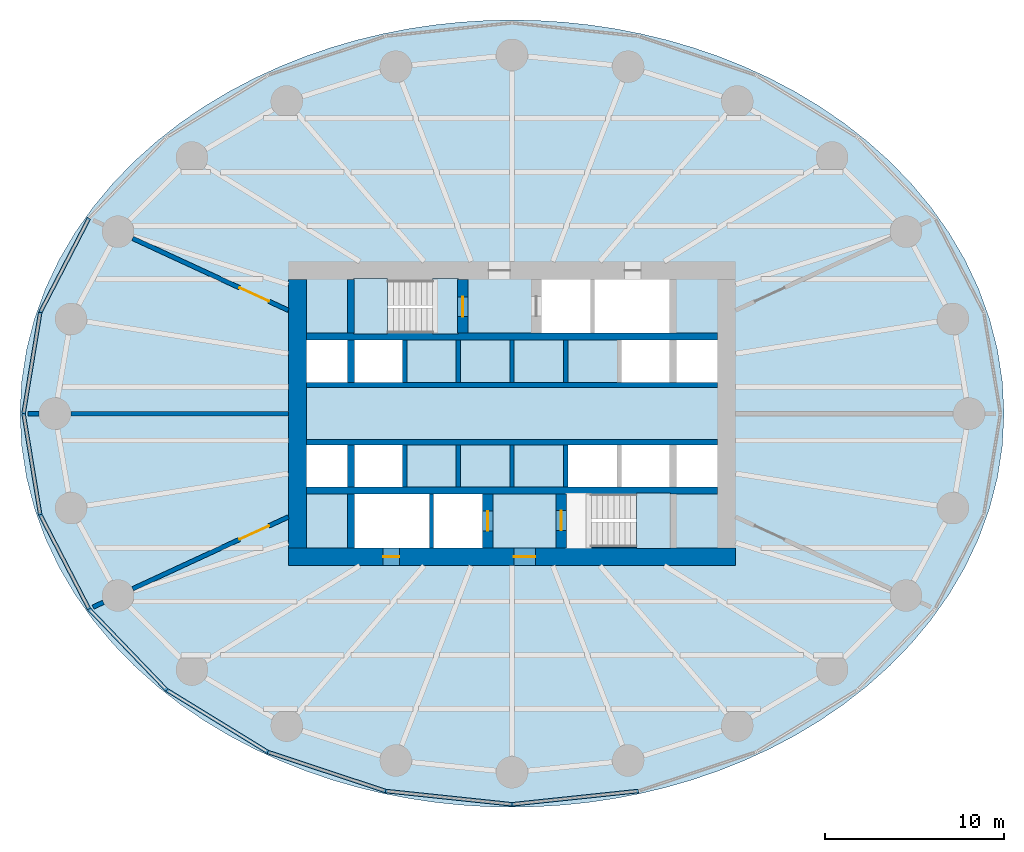
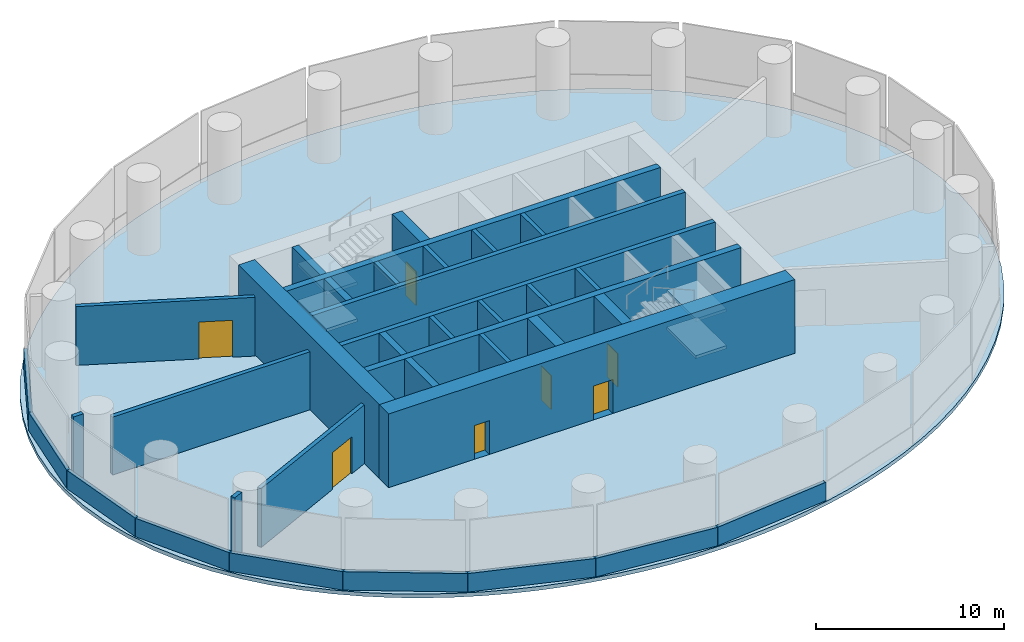
# One storey, part 3 of 5: 36 walls, 7 doors, 6 slabs, 7 openings, 2 elements without a shape of their own.
"""IFC4 building model written with IfcOpenShell, lengths in metres."""

from ifc_helpers import new_model, si_unit, direction, frame, frame_2d, origin, place, context, subcontext, project, spatial, polyline, rectangle, outline, extrude, material, layer, layer_set, type_object, element, fill, aggregate, save


model = new_model("IFC4")

# Units and contexts
model_context = context("Model", 3, precision=1e-05, world=origin(), true_north=direction((0.0, 1.0)))
body_context = subcontext(model_context, "Body", "Model", "MODEL_VIEW")
ifc_project = project(units=[si_unit("LENGTHUNIT", "METRE"), si_unit("AREAUNIT", "SQUARE_METRE"), si_unit("VOLUMEUNIT", "CUBIC_METRE"), si_unit("PLANEANGLEUNIT", "RADIAN"), si_unit("MASSUNIT", "GRAM", prefix="KILO")], contexts=[model_context])

# Site, building, storey
site_placement = place(None, origin())
site = spatial("IfcSite", under=ifc_project, at=site_placement, CompositionType="ELEMENT")
building_placement = place(site_placement, origin())
building = spatial("IfcBuilding", under=site, at=building_placement, Name="Hankou Lantern Tower", CompositionType="ELEMENT")
storey_placement = place(building_placement, frame((0.0, 0.0, 45.89990234375)))
storey = spatial("IfcBuildingStorey", under=building, at=storey_placement, Name="L10", CompositionType="ELEMENT", Elevation=45.89990234375)

# Slab
ifc_material_1 = material(Name="Concrete C50", Category="concrete")
ifc_layer_1 = layer(ifc_material_1, 0.25)
ifc_layer_set_1 = layer_set([ifc_layer_1], Name="Concrete C50")
slab_type_1 = type_object("IfcSlabType", Name="S2 HEAVY FLOOR SLAB 250", PredefinedType="FLOOR", material=ifc_layer_set_1)
slab_1_placement = place(storey_placement, frame((0.0, 0.0, -0.25)))
element("IfcSlab", 1, at=slab_1_placement, inside=storey, type_object=slab_type_1, Name="Floor slab L10", PredefinedType="FLOOR", context=body_context, shape_type="SweptSolid", body=[
    extrude(outline(polyline([(27.5, 0.0), (27.408203125, 1.79638671875), (27.135009765625, 3.572509765625), (26.6875, 5.308349609375), (26.076171875, 6.987060546875), (25.3154296875, 8.593505859375), (24.420654296875, 10.115478515625), (23.40966796875, 11.54443359375), (22.29931640625, 12.87451171875), (21.1064453125, 14.102783203125), (19.846435546875, 15.228759765625), (18.533447265625, 16.25341796875), (17.17919921875, 17.17919921875), (15.794189453125, 18.009765625), (14.38671875, 18.749267578125), (12.964111328125, 19.402099609375), (11.53125, 19.972412109375), (10.09228515625, 20.46484375), (8.650146484375, 20.88330078125), (7.20703125, 21.23095703125), (5.763916015625, 21.51123046875), (4.32177734375, 21.7265625), (2.88037109375, 21.87890625), (1.43994140625, 21.9697265625), (0.0, 22.0), (-1.43994140625, 21.9697265625), (-2.88037109375, 21.87890625), (-4.32177734375, 21.7265625), (-5.763916015625, 21.51123046875), (-7.20703125, 21.23095703125), (-8.650146484375, 20.88330078125), (-10.09228515625, 20.46484375), (-11.53125, 19.972412109375), (-12.964111328125, 19.402099609375), (-14.38671875, 18.749267578125), (-15.794189453125, 18.009765625), (-17.17919921875, 17.17919921875), (-18.533447265625, 16.25341796875), (-19.846435546875, 15.228759765625), (-21.1064453125, 14.102783203125), (-22.29931640625, 12.87451171875), (-23.40966796875, 11.54443359375), (-24.420654296875, 10.115478515625), (-25.3154296875, 8.593505859375), (-26.076171875, 6.987060546875), (-26.6875, 5.308349609375), (-27.135009765625, 3.572509765625), (-27.408203125, 1.79638671875), (-27.5, 0.0), (-27.408203125, -1.79638671875), (-27.135009765625, -3.572509765625), (-26.6875, -5.308349609375), (-26.076171875, -6.987060546875), (-25.3154296875, -8.593505859375), (-24.420654296875, -10.115478515625), (-23.40966796875, -11.54443359375), (-22.29931640625, -12.87451171875), (-21.1064453125, -14.102783203125), (-19.846435546875, -15.228759765625), (-18.533447265625, -16.25341796875), (-17.17919921875, -17.17919921875), (-15.794189453125, -18.009765625), (-14.38671875, -18.749267578125), (-12.964111328125, -19.402099609375), (-11.53125, -19.972412109375), (-10.09228515625, -20.46484375), (-8.650146484375, -20.88330078125), (-7.20703125, -21.23095703125), (-5.763916015625, -21.51123046875), (-4.32177734375, -21.7265625), (-2.88037109375, -21.87890625), (-1.43994140625, -21.9697265625), (0.0, -22.0), (1.43994140625, -21.9697265625), (2.88037109375, -21.87890625), (4.32177734375, -21.7265625), (5.763916015625, -21.51123046875), (7.20703125, -21.23095703125), (8.650146484375, -20.88330078125), (10.09228515625, -20.46484375), (11.53125, -19.972412109375), (12.964111328125, -19.402099609375), (14.38671875, -18.749267578125), (15.794189453125, -18.009765625), (17.17919921875, -17.17919921875), (18.533447265625, -16.25341796875), (19.846435546875, -15.228759765625), (21.1064453125, -14.102783203125), (22.29931640625, -12.87451171875), (23.40966796875, -11.54443359375), (24.420654296875, -10.115478515625), (25.3154296875, -8.593505859375), (26.076171875, -6.987060546875), (26.6875, -5.308349609375), (27.135009765625, -3.572509765625), (27.408203125, -1.79638671875), (27.5, 0.0)]), holes=[polyline([(-11.5, 4.10009765625), (-9.199951171875, 4.10009765625), (-9.199951171875, 1.75), (-11.5, 1.75), (-11.5, 4.10009765625)]), polyline([(-8.800048828125, 4.10009765625), (-6.125, 4.10009765625), (-6.125, 1.75), (-8.800048828125, 1.75), (-8.800048828125, 4.10009765625)]), polyline([(6.125, 4.10009765625), (8.800048828125, 4.10009765625), (8.800048828125, 1.75), (6.125, 1.75), (6.125, 4.10009765625)]), polyline([(9.199951171875, 4.10009765625), (11.5, 4.10009765625), (11.5, 1.75), (9.199951171875, 1.75), (9.199951171875, 4.10009765625)]), polyline([(-11.5, -1.75), (-9.199951171875, -1.75), (-9.199951171875, -4.10009765625), (-11.5, -4.10009765625), (-11.5, -1.75)]), polyline([(-8.800048828125, -1.75), (-6.125, -1.75), (-6.125, -4.10009765625), (-8.800048828125, -4.10009765625), (-8.800048828125, -1.75)]), polyline([(3.125, -1.75), (5.875, -1.75), (5.875, -4.10009765625), (3.125, -4.10009765625), (3.125, -1.75)]), polyline([(6.125, -1.75), (8.800048828125, -1.75), (8.800048828125, -4.10009765625), (6.125, -4.10009765625), (6.125, -1.75)]), polyline([(9.199951171875, -1.75), (11.5, -1.75), (11.5, -4.10009765625), (9.199951171875, -4.10009765625), (9.199951171875, -1.75)]), polyline([(1.64990234375, 7.5), (4.375, 7.5), (4.375, 4.5), (1.64990234375, 4.5), (1.64990234375, 7.5)]), polyline([(-4.375, -4.5), (-1.64990234375, -4.5), (-1.64990234375, -7.5), (-4.375, -7.5), (-4.375, -4.5)]), polyline([(-8.699951171875, 7.449951171875), (-4.449951171875, 7.449951171875), (-4.449951171875, 4.5), (-8.699951171875, 4.5), (-8.699951171875, 7.449951171875)]), polyline([(4.449951171875, -4.5), (8.699951171875, -4.5), (8.699951171875, -7.449951171875), (4.449951171875, -7.449951171875), (4.449951171875, -4.5)]), polyline([(4.625, 7.5), (8.800048828125, 7.5), (8.800048828125, 4.5), (4.625, 4.5), (4.625, 7.5)]), polyline([(-8.800048828125, -4.5), (-4.625, -4.5), (-4.625, -7.5), (-8.800048828125, -7.5), (-8.800048828125, -4.5)])]), origin(), (0.0, 0.0, 1.0), 0.25),
])

# Stair, slabs
ifc_material_2 = material(Name="Concrete C40", Category="concrete")
stair_type = type_object("IfcStairType", Name="ST48 CORE STAIR 4800 RISE", PredefinedType="HALF_TURN_STAIR", material=ifc_material_2)
stair_1_placement = place(storey_placement, origin())
stair_1 = element("IfcStair", 2, at=stair_1_placement, inside=storey, type_object=stair_type, Name="Stair STA L10", PredefinedType="HALF_TURN_STAIR")
ifc_material_3 = material(Name="Concrete C40", Category="concrete")
ifc_layer_2 = layer(ifc_material_3, 0.199951171875)
ifc_layer_set_2 = layer_set([ifc_layer_2], Name="Concrete C40")
slab_type_2 = type_object("IfcSlabType", Name="SL1 STAIR LANDING 200", PredefinedType="LANDING", material=ifc_layer_set_2)
slab_2_placement = place(storey_placement, frame((0.0, 0.0, 1.0)))
slab_2 = element("IfcSlab", 3, at=slab_2_placement, type_object=slab_type_2, Name="STA landing 1", PredefinedType="LANDING", context=body_context, shape_type="SweptSolid", body=[
    extrude(outline(polyline([(-8.85009765625, 4.449951171875), (-6.949951171875, 4.449951171875), (-6.949951171875, 7.550048828125), (-8.85009765625, 7.550048828125), (-8.85009765625, 4.449951171875)])), origin(), (0.0, 0.0, 1.0), 0.2001953125),
])
slab_3_placement = place(storey_placement, frame((0.0, 0.0, 2.2001953125)))
slab_3 = element("IfcSlab", 4, at=slab_3_placement, type_object=slab_type_2, Name="STA landing 2", PredefinedType="LANDING", context=body_context, shape_type="SweptSolid", body=[
    extrude(outline(polyline([(-4.449951171875, 4.449951171875), (-3.0, 4.449951171875), (-3.0, 7.550048828125), (-4.449951171875, 7.550048828125), (-4.449951171875, 4.449951171875)])), origin(), (0.0, 0.0, 1.0), 0.199951171875),
])
slab_4_placement = place(storey_placement, frame((0.0, 0.0, 3.400146484375)))
slab_4 = element("IfcSlab", 5, at=slab_4_placement, type_object=slab_type_2, Name="STA landing 3", PredefinedType="LANDING", context=body_context, shape_type="SweptSolid", body=[
    extrude(outline(polyline([(-8.85009765625, 4.449951171875), (-6.949951171875, 4.449951171875), (-6.949951171875, 7.550048828125), (-8.85009765625, 7.550048828125), (-8.85009765625, 4.449951171875)])), origin(), (0.0, 0.0, 1.0), 0.199951171875),
])
aggregate(stair_1, [slab_2, slab_3, slab_4])

stair_2_placement = place(storey_placement, origin())
stair_2 = element("IfcStair", 6, at=stair_2_placement, inside=storey, type_object=stair_type, Name="Stair STB L10", PredefinedType="HALF_TURN_STAIR")
slab_5_placement = place(storey_placement, frame((0.0, 0.0, 1.0)))
slab_5 = element("IfcSlab", 7, at=slab_5_placement, type_object=slab_type_2, Name="STB landing 1", PredefinedType="LANDING", context=body_context, shape_type="SweptSolid", body=[
    extrude(outline(polyline([(8.85009765625, -4.449951171875), (6.949951171875, -4.449951171875), (6.949951171875, -7.550048828125), (8.85009765625, -7.550048828125), (8.85009765625, -4.449951171875)])), origin(), (0.0, 0.0, 1.0), 0.2001953125),
])
slab_6_placement = place(storey_placement, frame((0.0, 0.0, 3.400146484375)))
slab_6 = element("IfcSlab", 8, at=slab_6_placement, type_object=slab_type_2, Name="STB landing 3", PredefinedType="LANDING", context=body_context, shape_type="SweptSolid", body=[
    extrude(outline(polyline([(8.85009765625, -4.449951171875), (6.949951171875, -4.449951171875), (6.949951171875, -7.550048828125), (8.85009765625, -7.550048828125), (8.85009765625, -4.449951171875)])), origin(), (0.0, 0.0, 1.0), 0.199951171875),
])
aggregate(stair_2, [slab_5, slab_6])

# Wall, openings, doors
ifc_material_4 = material(Name="Concrete C60", Category="concrete")
ifc_layer_3 = layer(ifc_material_4, 1.0)
ifc_layer_set_3 = layer_set([ifc_layer_3], Name="Concrete C60")
wall_type_1 = type_object("IfcWallType", Name="CW1 CORE WALL 1000", PredefinedType="SHEAR", material=ifc_layer_set_3)
wall_1_placement = place(storey_placement, frame((12.5, -8.0, 0.0), z_axis=(0.0, 0.0, 1.0), x_axis=(-1.0, 0.0, 0.0)))
wall_1 = element("IfcWall", 9, at=wall_1_placement, inside=storey, type_object=wall_type_1, Name="Core wall south L10", PredefinedType="SHEAR", context=body_context, shape_type="SweptSolid", body=[
    extrude(rectangle(XDim=25.0, YDim=1.0, at=frame_2d((12.5, 0.0))), origin(), (0.0, 0.0, 1.0), 4.800048828125),
])
opening_1_placement = place(wall_1_placement, frame((11.199951171875, 0.0, 0.0)))
opening_1 = element("IfcOpeningElement", 10, at=opening_1_placement, cuts=wall_1, Name="Opening D5", PredefinedType="OPENING", context=body_context, shape_type="SweptSolid", body=[
    extrude(rectangle(XDim=1.199951171875, YDim=2.199951171875, at=frame_2d((0.60009765625, 1.10009765625))), frame((0.0, 0.510009765625, 0.0), z_axis=(0.0, -1.0, 0.0), x_axis=(1.0, 0.0, 0.0)), (0.0, 0.0, 1.0), 1.02001953125),
])
opening_2_placement = place(wall_1_placement, frame((18.800048828125, 0.0, 0.0)))
opening_2 = element("IfcOpeningElement", 11, at=opening_2_placement, cuts=wall_1, Name="Opening D7", PredefinedType="OPENING", context=body_context, shape_type="SweptSolid", body=[
    extrude(rectangle(XDim=0.89990234375, YDim=2.199951171875, at=frame_2d((0.449951171875, 1.10009765625))), frame((0.0, 0.510009765625, 0.0), z_axis=(0.0, -1.0, 0.0), x_axis=(1.0, 0.0, 0.0)), (0.0, 0.0, 1.0), 1.02001953125),
])
ifc_material_5 = material(Name="Steel door leaf", Category="steel")
door_type_1 = type_object("IfcDoorType", Name="D5 STAIR LOBBY DOOR 1200X2200", OperationType="SINGLE_SWING_LEFT", PredefinedType="DOOR", material=ifc_material_5)
door_1_placement = place(opening_1_placement, origin())
door_1 = element("IfcDoor", 12, at=door_1_placement, inside=storey, type_object=door_type_1, Name="Stair B lobby door", OperationType="SINGLE_SWING_LEFT", OverallHeight=2.199951171875, OverallWidth=1.199951171875, PredefinedType="DOOR", context=body_context, shape_type="SweptSolid", body=[
    extrude(rectangle(XDim=1.199951171875, YDim=2.199951171875, at=frame_2d((0.60009765625, 1.10009765625))), frame((0.0, 0.02490234375, 0.0), z_axis=(0.0, -1.0, 0.0), x_axis=(1.0, 0.0, 0.0)), (0.0, 0.0, 1.0), 0.050048828125),
])
fill(opening_1, door_1)
ifc_material_6 = material(Name="Steel door leaf", Category="steel")
door_type_2 = type_object("IfcDoorType", Name="D7 RISER DOOR 900X2200", OperationType="SINGLE_SWING_LEFT", PredefinedType="DOOR", material=ifc_material_6)
door_2_placement = place(opening_2_placement, origin())
door_2 = element("IfcDoor", 13, at=door_2_placement, inside=storey, type_object=door_type_2, Name="Riser S1 door", OperationType="SINGLE_SWING_RIGHT", OverallHeight=2.199951171875, OverallWidth=0.89990234375, PredefinedType="DOOR", context=body_context, shape_type="SweptSolid", body=[
    extrude(rectangle(XDim=0.89990234375, YDim=2.199951171875, at=frame_2d((0.449951171875, 1.10009765625))), frame((0.0, 0.02490234375, 0.0), z_axis=(0.0, -1.0, 0.0), x_axis=(1.0, 0.0, 0.0)), (0.0, 0.0, 1.0), 0.050048828125),
])
fill(opening_2, door_2)

# Walls
wall_2_placement = place(storey_placement, frame((-12.0, 7.5, 0.0), z_axis=(0.0, 0.0, 1.0), x_axis=(0.0, -1.0, 0.0)))
element("IfcWall", 14, at=wall_2_placement, inside=storey, type_object=wall_type_1, Name="Core wall west L10", PredefinedType="SHEAR", context=body_context, shape_type="SweptSolid", body=[
    extrude(rectangle(XDim=15.0, YDim=1.0, at=frame_2d((7.5, 0.0))), origin(), (0.0, 0.0, 1.0), 4.800048828125),
])
ifc_material_7 = material(Name="Concrete C60", Category="concrete")
ifc_layer_4 = layer(ifc_material_7, 0.39990234375)
ifc_layer_set_4 = layer_set([ifc_layer_4], Name="Concrete C60")
wall_type_2 = type_object("IfcWallType", Name="CW4 CORE CROSS WALL 400", PredefinedType="SHEAR", material=ifc_layer_set_4)
for number, where, z_axis, x_axis, name in (
    (15, (-11.5, 4.300048828125, 0.0), (0.0, 0.0, 1.0), (1.0, 0.0, 0.0), "Core band wall north L10"),
    (16, (-11.5, -4.300048828125, 0.0), (0.0, 0.0, 1.0), (1.0, 0.0, 0.0), "Core band wall south L10"),
):
    element("IfcWall", number, at=place(storey_placement, frame(where, z_axis=z_axis, x_axis=x_axis)), inside=storey, type_object=wall_type_2, Name=name, PredefinedType="SHEAR", context=body_context, shape_type="SweptSolid", body=[
        extrude(rectangle(XDim=23.0, YDim=0.39990234375, at=frame_2d((11.5, 0.0))), origin(), (0.0, 0.0, 1.0), 4.800048828125),
    ])
wall_3_placement = place(storey_placement, frame((-9.0, 4.5, 0.0), z_axis=(0.0, 0.0, 1.0), x_axis=(0.0, 1.0, 0.0)))
element("IfcWall", 17, at=wall_3_placement, inside=storey, type_object=wall_type_2, Name="Core strip wall L10", PredefinedType="SHEAR", context=body_context, shape_type="SweptSolid", body=[
    extrude(rectangle(XDim=3.0, YDim=0.39990234375, at=frame_2d((1.5, 0.0))), origin(), (0.0, 0.0, 1.0), 4.800048828125),
])
for number, where, z_axis, x_axis, name in (
    (18, (-9.0, 1.75, 0.0), (0.0, 0.0, 1.0), (0.0, 1.0, 0.0), "Core strip wall L10"),
    (19, (-9.0, -4.10009765625, 0.0), (0.0, 0.0, 1.0), (0.0, 1.0, 0.0), "Core strip wall L10"),
):
    element("IfcWall", number, at=place(storey_placement, frame(where, z_axis=z_axis, x_axis=x_axis)), inside=storey, type_object=wall_type_2, Name=name, PredefinedType="SHEAR", context=body_context, shape_type="SweptSolid", body=[
        extrude(rectangle(XDim=2.35009765625, YDim=0.39990234375, at=frame_2d((1.175048828125, 0.0))), origin(), (0.0, 0.0, 1.0), 4.800048828125),
    ])
wall_4_placement = place(storey_placement, frame((-9.0, -7.5, 0.0), z_axis=(0.0, 0.0, 1.0), x_axis=(0.0, 1.0, 0.0)))
element("IfcWall", 20, at=wall_4_placement, inside=storey, type_object=wall_type_2, Name="Core strip wall L10", PredefinedType="SHEAR", context=body_context, shape_type="SweptSolid", body=[
    extrude(rectangle(XDim=3.0, YDim=0.39990234375, at=frame_2d((1.5, 0.0))), origin(), (0.0, 0.0, 1.0), 4.800048828125),
])
ifc_material_8 = material(Name="Concrete C60", Category="concrete")
ifc_layer_5 = layer(ifc_material_8, 0.300048828125)
ifc_layer_set_5 = layer_set([ifc_layer_5], Name="Concrete C60")
wall_type_3 = type_object("IfcWallType", Name="CW5 LIFT LOBBY WALL 300", PredefinedType="SHEAR", material=ifc_layer_set_5)
for number, where, z_axis, x_axis, name in (
    (21, (-11.5, 1.60009765625, 0.0), (0.0, 0.0, 1.0), (1.0, 0.0, 0.0), "Lift lobby wall north L10"),
    (22, (-11.5, -1.60009765625, 0.0), (0.0, 0.0, 1.0), (1.0, 0.0, 0.0), "Lift lobby wall south L10"),
):
    element("IfcWall", number, at=place(storey_placement, frame(where, z_axis=z_axis, x_axis=x_axis)), inside=storey, type_object=wall_type_3, Name=name, PredefinedType="SHEAR", context=body_context, shape_type="SweptSolid", body=[
        extrude(rectangle(XDim=23.0, YDim=0.300048828125, at=frame_2d((11.5, 0.0))), origin(), (0.0, 0.0, 1.0), 4.800048828125),
    ])

# Wall, opening, door
ifc_material_9 = material(Name="Concrete C60", Category="concrete")
ifc_layer_6 = layer(ifc_material_9, 0.60009765625)
ifc_layer_set_6 = layer_set([ifc_layer_6], Name="Concrete C60")
wall_type_4 = type_object("IfcWallType", Name="CW6 STAIR AND SHAFT WALL 600", PredefinedType="SHEAR", material=ifc_layer_set_6)
wall_5_placement = place(storey_placement, frame((-2.75, 4.5, 0.0), z_axis=(0.0, 0.0, 1.0), x_axis=(0.0, 1.0, 0.0)))
wall_5 = element("IfcWall", 23, at=wall_5_placement, inside=storey, type_object=wall_type_4, Name="Stair wall L10", PredefinedType="SHEAR", context=body_context, shape_type="SweptSolid", body=[
    extrude(rectangle(XDim=3.0, YDim=0.60009765625, at=frame_2d((1.5, 0.0))), origin(), (0.0, 0.0, 1.0), 4.800048828125),
])
opening_3_placement = place(wall_5_placement, frame((0.925048828125, 0.0, 0.0)))
opening_3 = element("IfcOpeningElement", 24, at=opening_3_placement, cuts=wall_5, Name="Opening D4", PredefinedType="OPENING", context=body_context, shape_type="SweptSolid", body=[
    extrude(rectangle(XDim=1.10009765625, YDim=2.199951171875, at=frame_2d((0.550048828125, 1.10009765625))), frame((0.0, 0.31005859375, 0.0), z_axis=(0.0, -1.0, 0.0), x_axis=(1.0, 0.0, 0.0)), (0.0, 0.0, 1.0), 0.6201171875),
])
ifc_material_10 = material(Name="Steel door leaf", Category="steel")
door_type_3 = type_object("IfcDoorType", Name="D4 STAIR DOOR 1100X2200", OperationType="SINGLE_SWING_LEFT", PredefinedType="DOOR", material=ifc_material_10)
door_3_placement = place(opening_3_placement, origin())
door_3 = element("IfcDoor", 25, at=door_3_placement, inside=storey, type_object=door_type_3, Name="Stair A door", OperationType="SINGLE_SWING_LEFT", OverallHeight=2.199951171875, OverallWidth=1.10009765625, PredefinedType="DOOR", context=body_context, shape_type="SweptSolid", body=[
    extrude(rectangle(XDim=1.10009765625, YDim=2.199951171875, at=frame_2d((0.550048828125, 1.10009765625))), frame((0.0, 0.02490234375, 0.0), z_axis=(0.0, -1.0, 0.0), x_axis=(1.0, 0.0, 0.0)), (0.0, 0.0, 1.0), 0.050048828125),
])
fill(opening_3, door_3)

wall_6_placement = place(storey_placement, frame((2.75, -7.5, 0.0), z_axis=(0.0, 0.0, 1.0), x_axis=(0.0, 1.0, 0.0)))
wall_6 = element("IfcWall", 26, at=wall_6_placement, inside=storey, type_object=wall_type_4, Name="Stair wall L10", PredefinedType="SHEAR", context=body_context, shape_type="SweptSolid", body=[
    extrude(rectangle(XDim=3.0, YDim=0.60009765625, at=frame_2d((1.5, 0.0))), origin(), (0.0, 0.0, 1.0), 4.800048828125),
])
opening_4_placement = place(wall_6_placement, frame((0.97509765625, 0.0, 0.0)))
opening_4 = element("IfcOpeningElement", 27, at=opening_4_placement, cuts=wall_6, Name="Opening D4", PredefinedType="OPENING", context=body_context, shape_type="SweptSolid", body=[
    extrude(rectangle(XDim=1.10009765625, YDim=2.199951171875, at=frame_2d((0.550048828125, 1.10009765625))), frame((0.0, 0.31005859375, 0.0), z_axis=(0.0, -1.0, 0.0), x_axis=(1.0, 0.0, 0.0)), (0.0, 0.0, 1.0), 0.6201171875),
])
door_4_placement = place(opening_4_placement, origin())
door_4 = element("IfcDoor", 28, at=door_4_placement, inside=storey, type_object=door_type_3, Name="Stair B door", OperationType="SINGLE_SWING_RIGHT", OverallHeight=2.199951171875, OverallWidth=1.10009765625, PredefinedType="DOOR", context=body_context, shape_type="SweptSolid", body=[
    extrude(rectangle(XDim=1.10009765625, YDim=2.199951171875, at=frame_2d((0.550048828125, 1.10009765625))), frame((0.0, 0.02490234375, 0.0), z_axis=(0.0, -1.0, 0.0), x_axis=(1.0, 0.0, 0.0)), (0.0, 0.0, 1.0), 0.050048828125),
])
fill(opening_4, door_4)

wall_7_placement = place(storey_placement, frame((-1.35009765625, -7.5, 0.0), z_axis=(0.0, 0.0, 1.0), x_axis=(0.0, 1.0, 0.0)))
wall_7 = element("IfcWall", 29, at=wall_7_placement, inside=storey, type_object=wall_type_4, Name="Firefighting lift shaft wall L10", PredefinedType="SHEAR", context=body_context, shape_type="SweptSolid", body=[
    extrude(rectangle(XDim=3.0, YDim=0.60009765625, at=frame_2d((1.5, 0.0))), origin(), (0.0, 0.0, 1.0), 4.800048828125),
])
opening_5_placement = place(wall_7_placement, frame((0.949951171875, 0.0, 0.0)))
opening_5 = element("IfcOpeningElement", 30, at=opening_5_placement, cuts=wall_7, Name="Opening LD2", PredefinedType="OPENING", context=body_context, shape_type="SweptSolid", body=[
    extrude(rectangle(XDim=1.10009765625, YDim=2.199951171875, at=frame_2d((0.550048828125, 1.10009765625))), frame((0.0, 0.31005859375, 0.0), z_axis=(0.0, -1.0, 0.0), x_axis=(1.0, 0.0, 0.0)), (0.0, 0.0, 1.0), 0.6201171875),
])
ifc_material_11 = material(Name="Steel door leaf", Category="steel")
door_type_4 = type_object("IfcDoorType", Name="LD2 FIREFIGHTING LIFT LANDING DOOR 1100X2200", OperationType="DOUBLE_DOOR_SLIDING", PredefinedType="DOOR", material=ifc_material_11)
door_5_placement = place(opening_5_placement, origin())
door_5 = element("IfcDoor", 31, at=door_5_placement, inside=storey, type_object=door_type_4, Name="Firefighting lift FL2 landing door", OperationType="DOUBLE_DOOR_SLIDING", OverallHeight=2.199951171875, OverallWidth=1.10009765625, PredefinedType="DOOR", context=body_context, shape_type="SweptSolid", body=[
    extrude(rectangle(XDim=1.10009765625, YDim=2.199951171875, at=frame_2d((0.550048828125, 1.10009765625))), frame((0.0, 0.02490234375, 0.0), z_axis=(0.0, -1.0, 0.0), x_axis=(1.0, 0.0, 0.0)), (0.0, 0.0, 1.0), 0.050048828125),
])
fill(opening_5, door_5)

# Walls
ifc_material_12 = material(Name="Precast concrete C40 spandrel", Category="concrete")
ifc_layer_7 = layer(ifc_material_12, 0.199951171875)
ifc_layer_set_7 = layer_set([ifc_layer_7], Name="Precast concrete C40 spandrel")
wall_type_5 = type_object("IfcWallType", Name="EW3 SPANDREL WALL 200", PredefinedType="PARAPET", material=ifc_layer_set_7)
wall_8_placement = place(storey_placement, frame((-23.642578125, 10.919921875, 0.0), z_axis=(0.0, 0.0, 1.0), x_axis=(-0.459796869206, -0.88802412077, 0.0)))
element("IfcWall", 32, at=wall_8_placement, inside=storey, type_object=wall_type_5, Name="Spandrel wall R11 L10", PredefinedType="PARAPET", context=body_context, shape_type="SweptSolid", body=[
    extrude(rectangle(XDim=5.931640625, YDim=0.199951171875, at=frame_2d((2.9658203125, 0.0))), origin(), (0.0, 0.0, 1.0), 1.2001953125),
])
for number, where, z_axis, x_axis, name in (
    (33, (-26.369873046875, 5.652587890625, 0.0), (0.0, 0.0, 1.0), (-0.162373720697, -0.9867293321, 0.0), "Spandrel wall R12 L10"),
    (34, (-27.300048828125, 0.0, 0.0), (0.0, 0.0, 1.0), (0.162373720697, -0.9867293321, 0.0), "Spandrel wall R13 L10"),
):
    element("IfcWall", number, at=place(storey_placement, frame(where, z_axis=z_axis, x_axis=x_axis)), inside=storey, type_object=wall_type_5, Name=name, PredefinedType="PARAPET", context=body_context, shape_type="SweptSolid", body=[
        extrude(rectangle(XDim=5.728515625, YDim=0.199951171875, at=frame_2d((2.8642578125, 0.0))), origin(), (0.0, 0.0, 1.0), 1.2001953125),
    ])
wall_9_placement = place(storey_placement, frame((-26.369873046875, -5.652587890625, 0.0), z_axis=(0.0, 0.0, 1.0), x_axis=(0.459796869206, -0.88802412077, 0.0)))
element("IfcWall", 35, at=wall_9_placement, inside=storey, type_object=wall_type_5, Name="Spandrel wall R14 L10", PredefinedType="PARAPET", context=body_context, shape_type="SweptSolid", body=[
    extrude(rectangle(XDim=5.931640625, YDim=0.199951171875, at=frame_2d((2.9658203125, 0.0))), origin(), (0.0, 0.0, 1.0), 1.2001953125),
])
wall_10_placement = place(storey_placement, frame((-23.642578125, -10.919921875, 0.0), z_axis=(0.0, 0.0, 1.0), x_axis=(0.692229324032, -0.721677603193, 0.0)))
element("IfcWall", 36, at=wall_10_placement, inside=storey, type_object=wall_type_5, Name="Spandrel wall R15 L10", PredefinedType="PARAPET", context=body_context, shape_type="SweptSolid", body=[
    extrude(rectangle(XDim=6.267578125, YDim=0.199951171875, at=frame_2d((3.1337890625, 0.0))), origin(), (0.0, 0.0, 1.0), 1.2001953125),
])
wall_11_placement = place(storey_placement, frame((-19.303955078125, -15.443115234375, 0.0), z_axis=(0.0, 0.0, 1.0), x_axis=(0.852227644775, -0.523171139763, 0.0)))
element("IfcWall", 37, at=wall_11_placement, inside=storey, type_object=wall_type_5, Name="Spandrel wall R16 L10", PredefinedType="PARAPET", context=body_context, shape_type="SweptSolid", body=[
    extrude(rectangle(XDim=6.634521484375, YDim=0.199951171875, at=frame_2d((3.3173828125, 0.0))), origin(), (0.0, 0.0, 1.0), 1.2001953125),
])
wall_12_placement = place(storey_placement, frame((-13.64990234375, -18.9140625, 0.0), z_axis=(0.0, 0.0, 1.0), x_axis=(0.94924845877, -0.314527206332, 0.0)))
element("IfcWall", 38, at=wall_12_placement, inside=storey, type_object=wall_type_5, Name="Spandrel wall R17 L10", PredefinedType="PARAPET", context=body_context, shape_type="SweptSolid", body=[
    extrude(rectangle(XDim=6.936279296875, YDim=0.199951171875, at=frame_2d((3.46826171875, 0.0))), origin(), (0.0, 0.0, 1.0), 1.2001953125),
])
for number, where, z_axis, x_axis, name in (
    (39, (-7.065673828125, -21.095703125, 0.0), (0.0, 0.0, 1.0), (0.99449622286, -0.104772433002, 0.0), "Spandrel wall R18 L10"),
    (40, (0.0, -21.840087890625, 0.0), (0.0, 0.0, 1.0), (0.99449622286, 0.104772433002, 0.0), "Spandrel wall R19 L10"),
):
    element("IfcWall", number, at=place(storey_placement, frame(where, z_axis=z_axis, x_axis=x_axis)), inside=storey, type_object=wall_type_5, Name=name, PredefinedType="PARAPET", context=body_context, shape_type="SweptSolid", body=[
        extrude(rectangle(XDim=7.104736328125, YDim=0.199951171875, at=frame_2d((3.55224609375, 0.0))), origin(), (0.0, 0.0, 1.0), 1.2001953125),
    ])

# Wall, opening, door
ifc_material_13 = material(Name="Masonry dense concrete block", Category="masonry")
ifc_layer_8 = layer(ifc_material_13, 0.25)
ifc_layer_set_8 = layer_set([ifc_layer_8], Name="Masonry dense concrete block")
wall_type_6 = type_object("IfcWallType", Name="IW5 PLANT ROOM FIRE WALL 250", PredefinedType="PARTITIONING", material=ifc_layer_set_8)
wall_13_placement = place(storey_placement, frame((-12.5, 5.7734375, 0.0), z_axis=(0.0, 0.0, 1.0), x_axis=(-0.907843804287, 0.419308510548, 0.0)))
wall_13 = element("IfcWall", 41, at=wall_13_placement, inside=storey, type_object=wall_type_6, Name="Plant room fire wall R11", PredefinedType="PARTITIONING", context=body_context, shape_type="SweptSolid", body=[
    extrude(rectangle(XDim=9.58544921875, YDim=0.25, at=frame_2d((4.792724609375, 0.0))), origin(), (0.0, 0.0, 1.0), 3.820068359375),
])
opening_6_placement = place(wall_13_placement, frame((1.199951171875, 0.0, 0.0)))
opening_6 = element("IfcOpeningElement", 42, at=opening_6_placement, cuts=wall_13, Name="Opening D9", PredefinedType="OPENING", context=body_context, shape_type="SweptSolid", body=[
    extrude(rectangle(XDim=1.800048828125, YDim=2.39990234375, at=frame_2d((0.89990234375, 1.199951171875))), frame((0.0, 0.135009765625, 0.0), z_axis=(0.0, -1.0, 0.0), x_axis=(1.0, 0.0, 0.0)), (0.0, 0.0, 1.0), 0.27001953125),
])
ifc_material_14 = material(Name="Steel door leaf", Category="steel")
door_type_5 = type_object("IfcDoorType", Name="D9 PLANT ROOM DOOR 1800X2400", OperationType="DOUBLE_DOOR_DOUBLE_SWING", PredefinedType="DOOR", material=ifc_material_14)
door_6_placement = place(opening_6_placement, origin())
door_6 = element("IfcDoor", 43, at=door_6_placement, inside=storey, type_object=door_type_5, Name="Plant room door R11", OperationType="DOUBLE_DOOR_DOUBLE_SWING", OverallHeight=2.39990234375, OverallWidth=1.800048828125, PredefinedType="DOOR", context=body_context, shape_type="SweptSolid", body=[
    extrude(rectangle(XDim=1.800048828125, YDim=2.39990234375, at=frame_2d((0.89990234375, 1.199951171875))), frame((0.0, 0.02490234375, 0.0), z_axis=(0.0, -1.0, 0.0), x_axis=(1.0, 0.0, 0.0)), (0.0, 0.0, 1.0), 0.050048828125),
])
fill(opening_6, door_6)

wall_14_placement = place(storey_placement, frame((-12.5, -5.7734375, 0.0), z_axis=(0.0, 0.0, 1.0), x_axis=(-0.907843804287, -0.419308510548, 0.0)))
wall_14 = element("IfcWall", 44, at=wall_14_placement, inside=storey, type_object=wall_type_6, Name="Plant room fire wall R15", PredefinedType="PARTITIONING", context=body_context, shape_type="SweptSolid", body=[
    extrude(rectangle(XDim=9.58544921875, YDim=0.25, at=frame_2d((4.792724609375, 0.0))), origin(), (0.0, 0.0, 1.0), 3.820068359375),
])
opening_7_placement = place(wall_14_placement, frame((1.199951171875, 0.0, 0.0)))
opening_7 = element("IfcOpeningElement", 45, at=opening_7_placement, cuts=wall_14, Name="Opening D9", PredefinedType="OPENING", context=body_context, shape_type="SweptSolid", body=[
    extrude(rectangle(XDim=1.800048828125, YDim=2.39990234375, at=frame_2d((0.89990234375, 1.199951171875))), frame((0.0, 0.135009765625, 0.0), z_axis=(0.0, -1.0, 0.0), x_axis=(1.0, 0.0, 0.0)), (0.0, 0.0, 1.0), 0.27001953125),
])
door_7_placement = place(opening_7_placement, origin())
door_7 = element("IfcDoor", 46, at=door_7_placement, inside=storey, type_object=door_type_5, Name="Plant room door R15", OperationType="DOUBLE_DOOR_DOUBLE_SWING", OverallHeight=2.39990234375, OverallWidth=1.800048828125, PredefinedType="DOOR", context=body_context, shape_type="SweptSolid", body=[
    extrude(rectangle(XDim=1.800048828125, YDim=2.39990234375, at=frame_2d((0.89990234375, 1.199951171875))), frame((0.0, 0.02490234375, 0.0), z_axis=(0.0, -1.0, 0.0), x_axis=(1.0, 0.0, 0.0)), (0.0, 0.0, 1.0), 0.050048828125),
])
fill(opening_7, door_7)

# Walls
wall_15_placement = place(storey_placement, frame((-22.836181640625, -10.547607421875, 0.0), z_axis=(0.0, 0.0, 1.0), x_axis=(-0.907847379299, -0.419300770211, 0.0)))
element("IfcWall", 47, at=wall_15_placement, inside=storey, type_object=wall_type_6, Name="Plant room fire wall R15", PredefinedType="PARTITIONING", context=body_context, shape_type="SweptSolid", body=[
    extrude(rectangle(XDim=0.63818359375, YDim=0.25, at=frame_2d((0.319091796875, 0.0))), origin(), (0.0, 0.0, 1.0), 4.6201171875),
])
wall_16_placement = place(storey_placement, frame((-12.5, 0.0, 0.0), z_axis=(0.0, 0.0, 1.0), x_axis=(-1.0, 0.0, 0.0)))
element("IfcWall", 48, at=wall_16_placement, inside=storey, type_object=wall_type_6, Name="Plant room partition R13", PredefinedType="PARTITIONING", context=body_context, shape_type="SweptSolid", body=[
    extrude(rectangle(XDim=12.14990234375, YDim=0.25, at=frame_2d((6.074951171875, 0.0))), origin(), (0.0, 0.0, 1.0), 3.77001953125),
])
wall_17_placement = place(storey_placement, frame((-26.449951171875, 0.0, 0.0), z_axis=(0.0, 0.0, 1.0), x_axis=(-1.0, 0.0, 0.0)))
element("IfcWall", 49, at=wall_17_placement, inside=storey, type_object=wall_type_6, Name="Plant room partition R13", PredefinedType="PARTITIONING", context=body_context, shape_type="SweptSolid", body=[
    extrude(rectangle(XDim=0.60009765625, YDim=0.25, at=frame_2d((0.300048828125, 0.0))), origin(), (0.0, 0.0, 1.0), 4.6201171875),
])
ifc_material_15 = material(Name="Masonry autoclaved aerated concrete block", Category="masonry")
ifc_layer_9 = layer(ifc_material_15, 0.25)
ifc_layer_set_9 = layer_set([ifc_layer_9], Name="Masonry autoclaved aerated concrete block")
wall_type_7 = type_object("IfcWallType", Name="SW1 SHAFT BLOCK WALL 250", PredefinedType="PARTITIONING", material=ifc_layer_set_9)
wall_18_placement = place(storey_placement, frame((-4.5, -7.5, 0.0), z_axis=(0.0, 0.0, 1.0), x_axis=(0.0, 1.0, 0.0)))
element("IfcWall", 50, at=wall_18_placement, inside=storey, type_object=wall_type_7, Name="Riser wall L10", PredefinedType="PARTITIONING", context=body_context, shape_type="SweptSolid", body=[
    extrude(rectangle(XDim=3.0, YDim=0.25, at=frame_2d((1.5, 0.0))), origin(), (0.0, 0.0, 1.0), 4.800048828125),
])
for number, where, z_axis, x_axis, name in (
    (51, (-6.0, 1.75, 0.0), (0.0, 0.0, 1.0), (0.0, 1.0, 0.0), "Lift shaft wall L10"),
    (52, (-3.0, 1.75, 0.0), (0.0, 0.0, 1.0), (0.0, 1.0, 0.0), "Lift shaft wall L10"),
    (53, (0.0, 1.75, 0.0), (0.0, 0.0, 1.0), (0.0, 1.0, 0.0), "Lift shaft wall L10"),
    (54, (3.0, 1.75, 0.0), (0.0, 0.0, 1.0), (0.0, 1.0, 0.0), "Lift shaft wall L10"),
    (55, (-6.0, -4.10009765625, 0.0), (0.0, 0.0, 1.0), (0.0, 1.0, 0.0), "Lift shaft wall L10"),
    (56, (-3.0, -4.10009765625, 0.0), (0.0, 0.0, 1.0), (0.0, 1.0, 0.0), "Lift shaft wall L10"),
    (57, (0.0, -4.10009765625, 0.0), (0.0, 0.0, 1.0), (0.0, 1.0, 0.0), "Lift shaft wall L10"),
    (58, (3.0, -4.10009765625, 0.0), (0.0, 0.0, 1.0), (0.0, 1.0, 0.0), "Lift shaft wall L10"),
):
    element("IfcWall", number, at=place(storey_placement, frame(where, z_axis=z_axis, x_axis=x_axis)), inside=storey, type_object=wall_type_7, Name=name, PredefinedType="PARTITIONING", context=body_context, shape_type="SweptSolid", body=[
        extrude(rectangle(XDim=2.35009765625, YDim=0.25, at=frame_2d((1.175048828125, 0.0))), origin(), (0.0, 0.0, 1.0), 4.800048828125),
    ])

save(model, "model.ifc")
